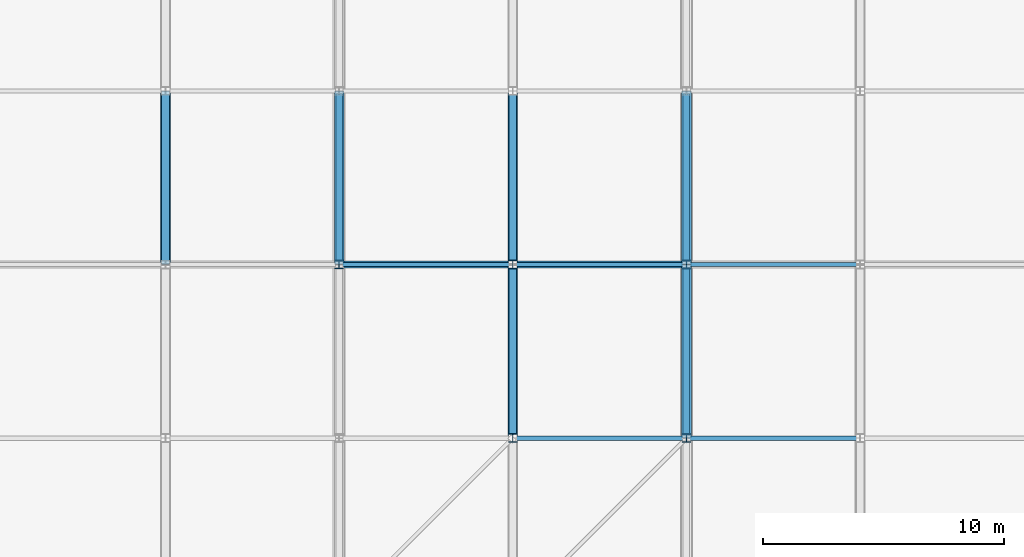
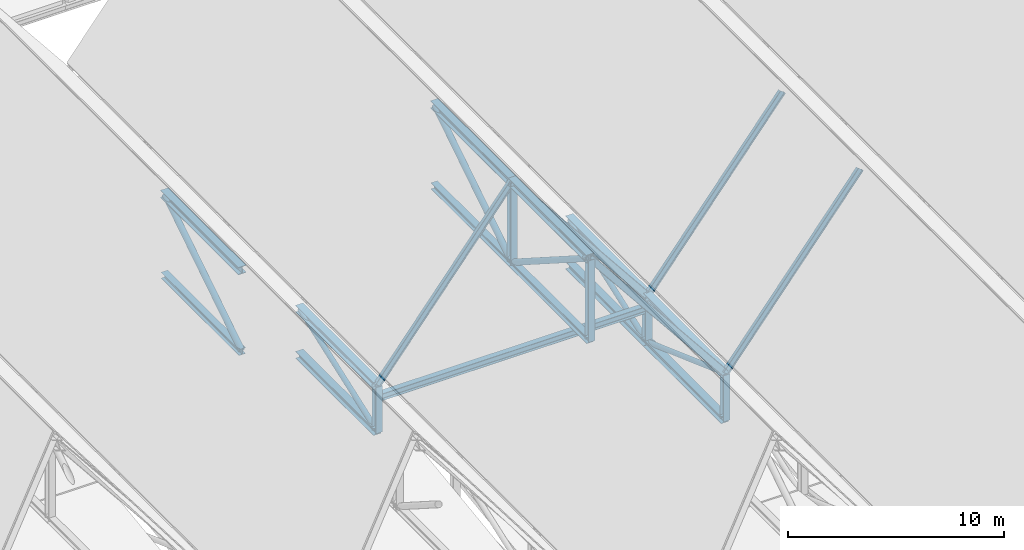
# One storey, part 10 of 60: 28 members, 1 beam.
"""IFC4 building model written with IfcOpenShell, lengths in metres."""

from ifc_helpers import new_model, si_unit, direction, frame, origin, origin_2d, place, context, subcontext, project, spatial, hollow_circle, i_section, extrude, material, material_profile, profile_set, type_object, element, save


model = new_model("IFC4")

# Units and contexts
model_context = context("Model", 3, precision=1e-05, world=origin(), true_north=direction((0.0, 1.0)))
body_context = subcontext(model_context, "Body", "Model", "MODEL_VIEW")
ifc_project = project(units=[si_unit("LENGTHUNIT", "METRE"), si_unit("AREAUNIT", "SQUARE_METRE"), si_unit("VOLUMEUNIT", "CUBIC_METRE"), si_unit("PLANEANGLEUNIT", "RADIAN"), si_unit("MASSUNIT", "GRAM", prefix="KILO")], contexts=[model_context])

# Site, building, storey
site_placement = place(None, origin())
site = spatial("IfcSite", under=ifc_project, at=site_placement, CompositionType="ELEMENT")
building_placement = place(site_placement, origin())
building = spatial("IfcBuilding", under=site, at=building_placement, Name="Vesperath Aquatics Centre", CompositionType="ELEMENT")
storey_placement = place(building_placement, frame((0.0, 0.0, 27.60009765625)))
storey = spatial("IfcBuildingStorey", under=building, at=storey_placement, Name="RF", CompositionType="ELEMENT", Elevation=27.60009765625)

# Beam
ifc_material_1 = material(Name="Steel Q355C", Category="steel")
ifc_material_profile_1 = material_profile(ifc_material_1, i_section(OverallWidth=0.300048828125, OverallDepth=0.389892578125, WebThickness=0.010009765625, FlangeThickness=0.01611328125, FilletRadius=0.02197265625, at=origin_2d()), Name="HM 390x300x10x16")
ifc_profile_set_1 = profile_set([ifc_material_profile_1], Name="Steel Q355C")
beam_type = type_object("IfcBeamType", Name="BM-RB03", PredefinedType="BEAM", material=ifc_profile_set_1)
beam_placement = place(storey_placement, frame((43.199951171875, 57.60009765625, -10.478759765625), z_axis=(1.0, 0.0, 0.0), x_axis=(0.0, 1.0, 0.0)))
element("IfcBeam", 1, at=beam_placement, inside=storey, type_object=beam_type, Name="Natatorium Roof Deck Support Beam B11 G4-57.6", PredefinedType="BEAM", context=body_context, shape_type="SweptSolid", body=[
    extrude(i_section(OverallWidth=0.300048828125, OverallDepth=0.389892578125, WebThickness=0.010009765625, FlangeThickness=0.01611328125, FilletRadius=0.02197265625, at=origin_2d()), origin(), (0.0, 0.0, 1.0), 14.400146484375),
])

# Members
ifc_material_2 = material(Name="Steel Q355D", Category="steel")
ifc_material_profile_2 = material_profile(ifc_material_2, i_section(OverallWidth=0.39990234375, OverallDepth=0.39990234375, WebThickness=0.012939453125, FlangeThickness=0.02099609375, FilletRadius=0.02197265625, at=origin_2d()), Name="HW 400x400x13x21")
ifc_profile_set_2 = profile_set([ifc_material_profile_2], Name="Steel Q355D")
member_type_1 = type_object("IfcMemberType", Name="MB-BC01", PredefinedType="CHORD", material=ifc_profile_set_2)
member_1_placement = place(storey_placement, frame((43.199951171875, 57.60009765625, -12.400146484375), z_axis=(0.0, 1.0, 0.0), x_axis=(-1.0, 0.0, 0.0)))
element("IfcMember", 2, at=member_1_placement, inside=storey, type_object=member_type_1, Name="Natatorium ROOF TRUSS Bottom Chord BC01 G7-9", PredefinedType="CHORD", context=body_context, shape_type="SweptSolid", body=[
    extrude(i_section(OverallWidth=0.39990234375, OverallDepth=0.39990234375, WebThickness=0.012939453125, FlangeThickness=0.02099609375, FilletRadius=0.02197265625, at=origin_2d()), origin(), (0.0, 0.0, 1.0), 7.199951171875),
])
member_2_placement = place(storey_placement, frame((57.60009765625, 50.39990234375, -12.400146484375), z_axis=(0.0, 1.0, 0.0), x_axis=(-1.0, 0.0, 0.0)))
element("IfcMember", 3, at=member_2_placement, inside=storey, type_object=member_type_1, Name="Natatorium ROOF TRUSS Bottom Chord BC01 G9-8", PredefinedType="CHORD", context=body_context, shape_type="SweptSolid", body=[
    extrude(i_section(OverallWidth=0.39990234375, OverallDepth=0.39990234375, WebThickness=0.012939453125, FlangeThickness=0.02099609375, FilletRadius=0.02197265625, at=origin_2d()), origin(), (0.0, 0.0, 1.0), 7.2001953125),
])
member_3_placement = place(storey_placement, frame((57.60009765625, 57.60009765625, -12.400146484375), z_axis=(0.0, 1.0, 0.0), x_axis=(-1.0, 0.0, 0.0)))
element("IfcMember", 4, at=member_3_placement, inside=storey, type_object=member_type_1, Name="Natatorium ROOF TRUSS Bottom Chord BC01 G9-9", PredefinedType="CHORD", context=body_context, shape_type="SweptSolid", body=[
    extrude(i_section(OverallWidth=0.39990234375, OverallDepth=0.39990234375, WebThickness=0.012939453125, FlangeThickness=0.02099609375, FilletRadius=0.02197265625, at=origin_2d()), origin(), (0.0, 0.0, 1.0), 7.199951171875),
])
ifc_material_profile_3 = material_profile(ifc_material_2, i_section(OverallWidth=0.35009765625, OverallDepth=0.35009765625, WebThickness=0.011962890625, FlangeThickness=0.01904296875, FilletRadius=0.02001953125, at=origin_2d()), Name="HW 350x350x12x19")
ifc_profile_set_3 = profile_set([ifc_material_profile_3], Name="Steel Q355D")
member_type_2 = type_object("IfcMemberType", Name="MB-BC02", PredefinedType="CHORD", material=ifc_profile_set_3)
member_4_placement = place(storey_placement, frame((36.0, 57.60009765625, -5.400146484375), z_axis=(0.0, 1.0, 0.0), x_axis=(-1.0, 0.0, 0.0)))
element("IfcMember", 5, at=member_4_placement, inside=storey, type_object=member_type_2, Name="Natatorium ROOF TRUSS Bottom Chord BC02 G6-9", PredefinedType="CHORD", context=body_context, shape_type="SweptSolid", body=[
    extrude(i_section(OverallWidth=0.35009765625, OverallDepth=0.35009765625, WebThickness=0.011962890625, FlangeThickness=0.01904296875, FilletRadius=0.02001953125, at=origin_2d()), origin(), (0.0, 0.0, 1.0), 7.199951171875),
])
member_5_placement = place(storey_placement, frame((50.39990234375, 50.39990234375, -5.400146484375), z_axis=(0.0, 1.0, 0.0), x_axis=(-1.0, 0.0, 0.0)))
element("IfcMember", 6, at=member_5_placement, inside=storey, type_object=member_type_2, Name="Natatorium ROOF TRUSS Bottom Chord BC02 G8-8", PredefinedType="CHORD", context=body_context, shape_type="SweptSolid", body=[
    extrude(i_section(OverallWidth=0.35009765625, OverallDepth=0.35009765625, WebThickness=0.011962890625, FlangeThickness=0.01904296875, FilletRadius=0.02001953125, at=origin_2d()), origin(), (0.0, 0.0, 1.0), 7.2001953125),
])
member_6_placement = place(storey_placement, frame((50.39990234375, 57.60009765625, -5.400146484375), z_axis=(0.0, 1.0, 0.0), x_axis=(-1.0, 0.0, 0.0)))
element("IfcMember", 7, at=member_6_placement, inside=storey, type_object=member_type_2, Name="Natatorium ROOF TRUSS Bottom Chord BC02 G8-9", PredefinedType="CHORD", context=body_context, shape_type="SweptSolid", body=[
    extrude(i_section(OverallWidth=0.35009765625, OverallDepth=0.35009765625, WebThickness=0.011962890625, FlangeThickness=0.01904296875, FilletRadius=0.02001953125, at=origin_2d()), origin(), (0.0, 0.0, 1.0), 7.199951171875),
])
ifc_material_profile_4 = material_profile(ifc_material_1, i_section(OverallWidth=0.175048828125, OverallDepth=0.35009765625, WebThickness=0.007080078125, FlangeThickness=0.010986328125, FilletRadius=0.012939453125, at=origin_2d()), Name="HN 350x175x7x11")
ifc_profile_set_4 = profile_set([ifc_material_profile_4], Name="Steel Q355C")
member_type_3 = type_object("IfcMemberType", Name="MB-PR01", PredefinedType="PURLIN", material=ifc_profile_set_4)
for number, where, z_axis, x_axis, name in (
    (8, (43.199951171875, 57.60009765625, -9.800048828125), (0.624692464322, 0.0, 0.780870876022), (0.0, 1.0, 0.0), "Natatorium Roof Purlin PR01 B7-7"),
    (9, (50.39990234375, 50.39990234375, -0.800048828125), (0.624705380279, 0.0, -0.780860543151), (0.0, 1.0, 0.0), "Natatorium Roof Purlin PR01 B8-6"),
    (10, (50.39990234375, 57.60009765625, -0.800048828125), (0.624705380279, 0.0, -0.780860543151), (0.0, 1.0, 0.0), "Natatorium Roof Purlin PR01 B8-7"),
    (11, (57.60009765625, 50.39990234375, -9.800048828125), (0.624692464322, 0.0, 0.780870876022), (0.0, 1.0, 0.0), "Natatorium Roof Purlin PR01 B9-6"),
    (12, (57.60009765625, 57.60009765625, -9.800048828125), (0.624692464322, 0.0, 0.780870876022), (0.0, 1.0, 0.0), "Natatorium Roof Purlin PR01 B9-7"),
):
    element("IfcMember", number, at=place(storey_placement, frame(where, z_axis=z_axis, x_axis=x_axis)), inside=storey, type_object=member_type_3, Name=name, PredefinedType="PURLIN", context=body_context, shape_type="SweptSolid", body=[
        extrude(i_section(OverallWidth=0.175048828125, OverallDepth=0.35009765625, WebThickness=0.007080078125, FlangeThickness=0.010986328125, FilletRadius=0.012939453125, at=origin_2d()), origin(), (0.0, 0.0, 1.0), 11.525634765625),
    ])
ifc_material_profile_5 = material_profile(ifc_material_2, i_section(OverallWidth=0.406982421875, OverallDepth=0.427978515625, WebThickness=0.02001953125, FlangeThickness=0.034912109375, FilletRadius=0.02197265625, at=origin_2d()), Name="HW 428x407x20x35")
ifc_profile_set_5 = profile_set([ifc_material_profile_5], Name="Steel Q355D")
member_type_4 = type_object("IfcMemberType", Name="MB-TC01", PredefinedType="CHORD", material=ifc_profile_set_5)
member_7_placement = place(storey_placement, frame((36.0, 57.60009765625, -0.800048828125), z_axis=(0.0, 1.0, 0.0), x_axis=(-1.0, 0.0, 0.0)))
element("IfcMember", 13, at=member_7_placement, inside=storey, type_object=member_type_4, Name="Natatorium ROOF TRUSS Top Chord TC01 G6-9", PredefinedType="CHORD", context=body_context, shape_type="SweptSolid", body=[
    extrude(i_section(OverallWidth=0.406982421875, OverallDepth=0.427978515625, WebThickness=0.02001953125, FlangeThickness=0.034912109375, FilletRadius=0.02197265625, at=origin_2d()), origin(), (0.0, 0.0, 1.0), 7.199951171875),
])
member_8_placement = place(storey_placement, frame((50.39990234375, 50.39990234375, -0.800048828125), z_axis=(0.0, 1.0, 0.0), x_axis=(-1.0, 0.0, 0.0)))
element("IfcMember", 14, at=member_8_placement, inside=storey, type_object=member_type_4, Name="Natatorium ROOF TRUSS Top Chord TC01 G8-8", PredefinedType="CHORD", context=body_context, shape_type="SweptSolid", body=[
    extrude(i_section(OverallWidth=0.406982421875, OverallDepth=0.427978515625, WebThickness=0.02001953125, FlangeThickness=0.034912109375, FilletRadius=0.02197265625, at=origin_2d()), origin(), (0.0, 0.0, 1.0), 7.2001953125),
])
member_9_placement = place(storey_placement, frame((50.39990234375, 57.60009765625, -0.800048828125), z_axis=(0.0, 1.0, 0.0), x_axis=(-1.0, 0.0, 0.0)))
element("IfcMember", 15, at=member_9_placement, inside=storey, type_object=member_type_4, Name="Natatorium ROOF TRUSS Top Chord TC01 G8-9", PredefinedType="CHORD", context=body_context, shape_type="SweptSolid", body=[
    extrude(i_section(OverallWidth=0.406982421875, OverallDepth=0.427978515625, WebThickness=0.02001953125, FlangeThickness=0.034912109375, FilletRadius=0.02197265625, at=origin_2d()), origin(), (0.0, 0.0, 1.0), 7.199951171875),
])
ifc_material_profile_6 = material_profile(ifc_material_2, i_section(OverallWidth=0.39990234375, OverallDepth=0.39990234375, WebThickness=0.012939453125, FlangeThickness=0.02099609375, FilletRadius=0.02197265625, at=origin_2d()), Name="HW 400x400x13x21")
ifc_profile_set_6 = profile_set([ifc_material_profile_6], Name="Steel Q355D")
member_type_5 = type_object("IfcMemberType", Name="MB-TC02", PredefinedType="CHORD", material=ifc_profile_set_6)
member_10_placement = place(storey_placement, frame((43.199951171875, 57.60009765625, -9.800048828125), z_axis=(0.0, 1.0, 0.0), x_axis=(-1.0, 0.0, 0.0)))
element("IfcMember", 16, at=member_10_placement, inside=storey, type_object=member_type_5, Name="Natatorium ROOF TRUSS Top Chord TC02 G7-9", PredefinedType="CHORD", context=body_context, shape_type="SweptSolid", body=[
    extrude(i_section(OverallWidth=0.39990234375, OverallDepth=0.39990234375, WebThickness=0.012939453125, FlangeThickness=0.02099609375, FilletRadius=0.02197265625, at=origin_2d()), origin(), (0.0, 0.0, 1.0), 7.199951171875),
])
member_11_placement = place(storey_placement, frame((57.60009765625, 50.39990234375, -9.800048828125), z_axis=(0.0, 1.0, 0.0), x_axis=(-1.0, 0.0, 0.0)))
element("IfcMember", 17, at=member_11_placement, inside=storey, type_object=member_type_5, Name="Natatorium ROOF TRUSS Top Chord TC02 G9-8", PredefinedType="CHORD", context=body_context, shape_type="SweptSolid", body=[
    extrude(i_section(OverallWidth=0.39990234375, OverallDepth=0.39990234375, WebThickness=0.012939453125, FlangeThickness=0.02099609375, FilletRadius=0.02197265625, at=origin_2d()), origin(), (0.0, 0.0, 1.0), 7.2001953125),
])
member_12_placement = place(storey_placement, frame((57.60009765625, 57.60009765625, -9.800048828125), z_axis=(0.0, 1.0, 0.0), x_axis=(-1.0, 0.0, 0.0)))
element("IfcMember", 18, at=member_12_placement, inside=storey, type_object=member_type_5, Name="Natatorium ROOF TRUSS Top Chord TC02 G9-9", PredefinedType="CHORD", context=body_context, shape_type="SweptSolid", body=[
    extrude(i_section(OverallWidth=0.39990234375, OverallDepth=0.39990234375, WebThickness=0.012939453125, FlangeThickness=0.02099609375, FilletRadius=0.02197265625, at=origin_2d()), origin(), (0.0, 0.0, 1.0), 7.199951171875),
])
ifc_material_profile_7 = material_profile(ifc_material_2, hollow_circle(Radius=0.161865234375, WallThickness=0.013916015625, at=origin_2d()), Name="CHS 323.9x14")
ifc_profile_set_7 = profile_set([ifc_material_profile_7], Name="Steel Q355D")
member_type_6 = type_object("IfcMemberType", Name="MB-TD01", PredefinedType="BRACE", material=ifc_profile_set_7)
member_13_placement = place(storey_placement, frame((36.0, 57.66748046875, -5.35693359375), z_axis=(0.0, 0.84270690245, 0.538372618698), x_axis=(-1.0, 0.0, 0.0)))
element("IfcMember", 19, at=member_13_placement, inside=storey, type_object=member_type_6, Name="Natatorium ROOF TRUSS Diagonal TD01 G6-9", PredefinedType="BRACE", context=body_context, shape_type="SweptSolid", body=[
    extrude(hollow_circle(Radius=0.161865234375, WallThickness=0.013916015625, at=origin_2d()), origin(), (0.0, 0.0, 1.0), 8.384033203125),
])
member_14_placement = place(storey_placement, frame((50.39990234375, 50.467529296875, -0.84326171875), z_axis=(0.0, 0.842698461818, -0.538385830468), x_axis=(-1.0, 0.0, 0.0)))
element("IfcMember", 20, at=member_14_placement, inside=storey, type_object=member_type_6, Name="Natatorium ROOF TRUSS Diagonal TD01 G8-8", PredefinedType="BRACE", context=body_context, shape_type="SweptSolid", body=[
    extrude(hollow_circle(Radius=0.161865234375, WallThickness=0.013916015625, at=origin_2d()), origin(), (0.0, 0.0, 1.0), 8.3837890625),
])
member_15_placement = place(storey_placement, frame((50.39990234375, 57.66748046875, -5.35693359375), z_axis=(0.0, 0.84270690245, 0.538372618698), x_axis=(-1.0, 0.0, 0.0)))
element("IfcMember", 21, at=member_15_placement, inside=storey, type_object=member_type_6, Name="Natatorium ROOF TRUSS Diagonal TD01 G8-9", PredefinedType="BRACE", context=body_context, shape_type="SweptSolid", body=[
    extrude(hollow_circle(Radius=0.161865234375, WallThickness=0.013916015625, at=origin_2d()), origin(), (0.0, 0.0, 1.0), 8.384033203125),
])
ifc_material_profile_8 = material_profile(ifc_material_2, hollow_circle(Radius=0.136474609375, WallThickness=0.011962890625, at=origin_2d()), Name="CHS 273.0x12")
ifc_profile_set_8 = profile_set([ifc_material_profile_8], Name="Steel Q355D")
member_type_7 = type_object("IfcMemberType", Name="MB-TD02", PredefinedType="BRACE", material=ifc_profile_set_8)
member_16_placement = place(storey_placement, frame((43.199951171875, 57.67529296875, -12.373046875), z_axis=(0.0, 0.940544360889, 0.339670877761), x_axis=(-1.0, 0.0, 0.0)))
element("IfcMember", 22, at=member_16_placement, inside=storey, type_object=member_type_7, Name="Natatorium ROOF TRUSS Diagonal TD02 G7-9", PredefinedType="BRACE", context=body_context, shape_type="SweptSolid", body=[
    extrude(hollow_circle(Radius=0.136474609375, WallThickness=0.011962890625, at=origin_2d()), origin(), (0.0, 0.0, 1.0), 7.4951171875),
])
member_17_placement = place(storey_placement, frame((57.60009765625, 50.475341796875, -9.8271484375), z_axis=(0.0, 0.940540602568, -0.339681284324), x_axis=(-1.0, 0.0, 0.0)))
element("IfcMember", 23, at=member_17_placement, inside=storey, type_object=member_type_7, Name="Natatorium ROOF TRUSS Diagonal TD02 G9-8", PredefinedType="BRACE", context=body_context, shape_type="SweptSolid", body=[
    extrude(hollow_circle(Radius=0.136474609375, WallThickness=0.011962890625, at=origin_2d()), origin(), (0.0, 0.0, 1.0), 7.494873046875),
])
member_18_placement = place(storey_placement, frame((57.60009765625, 57.67529296875, -12.373046875), z_axis=(0.0, 0.940544360889, 0.339670877761), x_axis=(-1.0, 0.0, 0.0)))
element("IfcMember", 24, at=member_18_placement, inside=storey, type_object=member_type_7, Name="Natatorium ROOF TRUSS Diagonal TD02 G9-9", PredefinedType="BRACE", context=body_context, shape_type="SweptSolid", body=[
    extrude(hollow_circle(Radius=0.136474609375, WallThickness=0.011962890625, at=origin_2d()), origin(), (0.0, 0.0, 1.0), 7.4951171875),
])
ifc_material_profile_9 = material_profile(ifc_material_2, i_section(OverallWidth=0.35009765625, OverallDepth=0.35009765625, WebThickness=0.011962890625, FlangeThickness=0.01904296875, FilletRadius=0.02001953125, at=origin_2d()), Name="HW 350x350x12x19")
ifc_profile_set_9 = profile_set([ifc_material_profile_9], Name="Steel Q355D")
member_type_8 = type_object("IfcMemberType", Name="MB-TP01", PredefinedType="POST", material=ifc_profile_set_9)
member_19_placement = place(storey_placement, frame((43.199951171875, 57.60009765625, -12.400146484375), z_axis=(0.0, 0.0, 1.0), x_axis=(1.0, 0.0, 0.0)))
element("IfcMember", 25, at=member_19_placement, inside=storey, type_object=member_type_8, Name="Natatorium ROOF TRUSS Post TP01 G7-9", PredefinedType="POST", context=body_context, shape_type="SweptSolid", body=[
    extrude(i_section(OverallWidth=0.35009765625, OverallDepth=0.35009765625, WebThickness=0.011962890625, FlangeThickness=0.01904296875, FilletRadius=0.02001953125, at=origin_2d()), origin(), (0.0, 0.0, 1.0), 2.60009765625),
])
for number, where, z_axis, x_axis, name in (
    (26, (50.39990234375, 50.39990234375, -5.400146484375), (0.0, 0.0, 1.0), (1.0, 0.0, 0.0), "Natatorium ROOF TRUSS Post TP01 G8-8"),
    (27, (50.39990234375, 57.60009765625, -5.400146484375), (0.0, 0.0, 1.0), (1.0, 0.0, 0.0), "Natatorium ROOF TRUSS Post TP01 G8-9"),
):
    element("IfcMember", number, at=place(storey_placement, frame(where, z_axis=z_axis, x_axis=x_axis)), inside=storey, type_object=member_type_8, Name=name, PredefinedType="POST", context=body_context, shape_type="SweptSolid", body=[
        extrude(i_section(OverallWidth=0.35009765625, OverallDepth=0.35009765625, WebThickness=0.011962890625, FlangeThickness=0.01904296875, FilletRadius=0.02001953125, at=origin_2d()), origin(), (0.0, 0.0, 1.0), 4.60009765625),
    ])
for number, where, z_axis, x_axis, name in (
    (28, (57.60009765625, 50.39990234375, -12.400146484375), (0.0, 0.0, 1.0), (1.0, 0.0, 0.0), "Natatorium ROOF TRUSS Post TP01 G9-8"),
    (29, (57.60009765625, 57.60009765625, -12.400146484375), (0.0, 0.0, 1.0), (1.0, 0.0, 0.0), "Natatorium ROOF TRUSS Post TP01 G9-9"),
):
    element("IfcMember", number, at=place(storey_placement, frame(where, z_axis=z_axis, x_axis=x_axis)), inside=storey, type_object=member_type_8, Name=name, PredefinedType="POST", context=body_context, shape_type="SweptSolid", body=[
        extrude(i_section(OverallWidth=0.35009765625, OverallDepth=0.35009765625, WebThickness=0.011962890625, FlangeThickness=0.01904296875, FilletRadius=0.02001953125, at=origin_2d()), origin(), (0.0, 0.0, 1.0), 2.60009765625),
    ])

save(model, "model.ifc")
